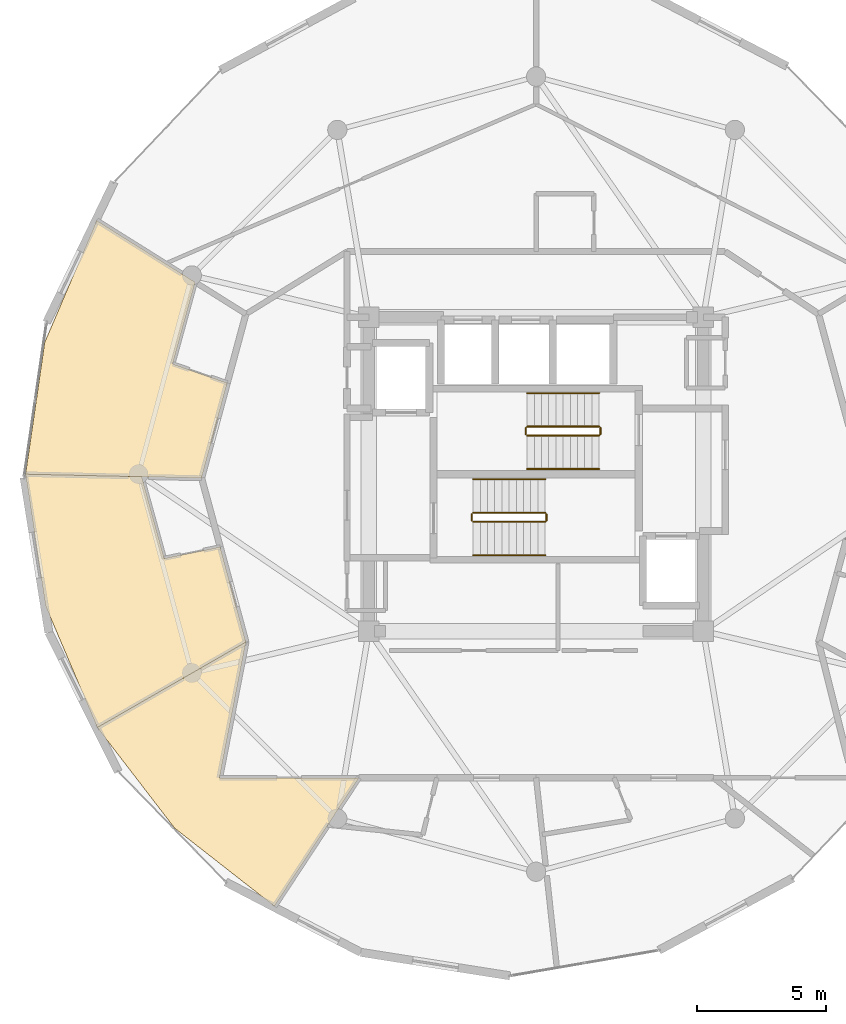
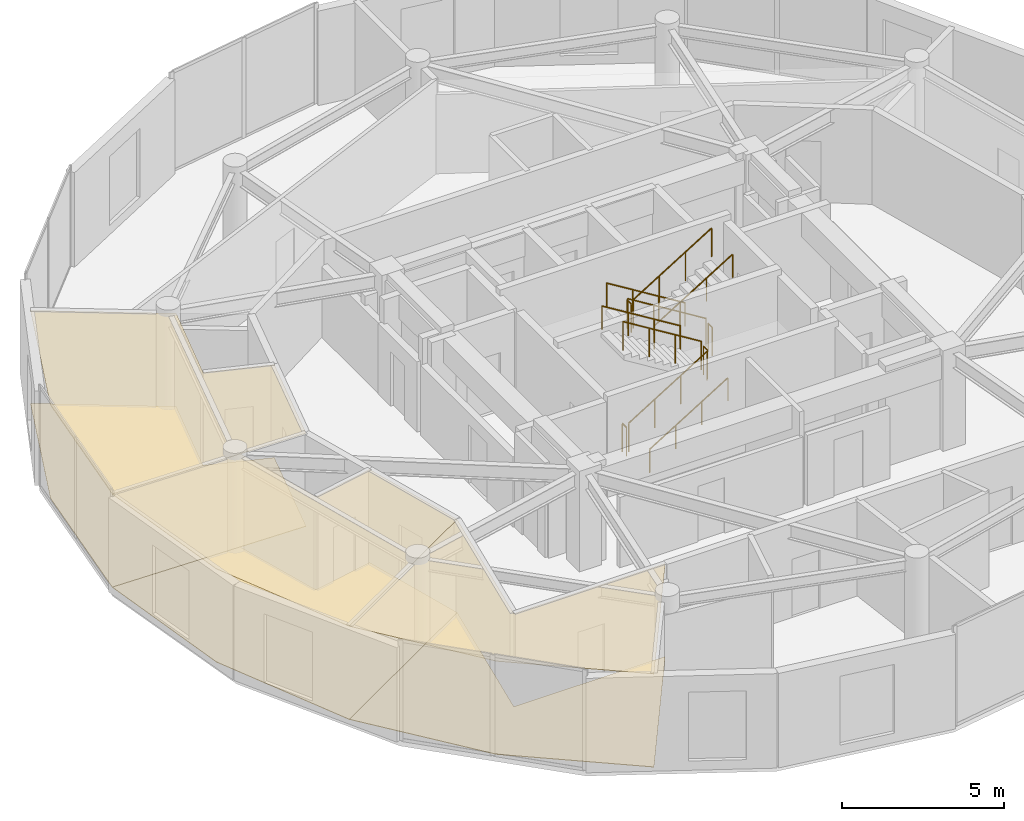
# One storey, part 21 of 22: 12 railings, 6 coverings.
"""IFC4 building model written with IfcOpenShell, lengths in metres."""

from ifc_helpers import new_model, si_unit, direction, frame, origin, origin_2d, place, context, subcontext, project, spatial, polyline, circle, outline, extrude, material, layer, layer_set, type_object, element, save


model = new_model("IFC4")

# Units and contexts
model_context = context("Model", 3, precision=1e-05, world=origin(), true_north=direction((0.0, 1.0)))
body_context = subcontext(model_context, "Body", "Model", "MODEL_VIEW")
ifc_project = project(units=[si_unit("LENGTHUNIT", "METRE"), si_unit("AREAUNIT", "SQUARE_METRE"), si_unit("VOLUMEUNIT", "CUBIC_METRE"), si_unit("PLANEANGLEUNIT", "RADIAN"), si_unit("MASSUNIT", "GRAM", prefix="KILO")], contexts=[model_context])

# Site, building, storey
site_placement = place(None, origin())
site = spatial("IfcSite", under=ifc_project, at=site_placement, CompositionType="ELEMENT")
building_placement = place(site_placement, origin())
building = spatial("IfcBuilding", under=site, at=building_placement, Name="Solvirekh Grand Hotel", CompositionType="ELEMENT")
storey_placement = place(building_placement, frame((0.0, 0.0, 278.199951171875)))
storey = spatial("IfcBuildingStorey", under=building, at=storey_placement, Name="L72", CompositionType="ELEMENT", Elevation=278.199951171875)

# Coverings
ifc_material_1 = material(Name="Acoustic Mineral Ceiling Tile")
ifc_layer_1 = layer(ifc_material_1, 0.02490234375)
ifc_layer_set_1 = layer_set([ifc_layer_1], Name="Acoustic Mineral Ceiling Tile")
covering_type_1 = type_object("IfcCoveringType", Name="Cov_Ceiling_Acoustic", PredefinedType="CEILING", material=ifc_layer_set_1)
covering_1_placement = place(storey_placement, frame((0.0, 0.0, 3.52001953125)))
element("IfcCovering", 1, at=covering_1_placement, inside=storey, type_object=covering_type_1, Name="L72 Deluxe Guestroom 7402 acoustic ceiling", PredefinedType="CEILING", context=body_context, shape_type="SweptSolid", body=[
    extrude(outline(polyline([(-14.12109375, 4.284912109375), (-13.2490234375, 7.4599609375), (-17.074951171875, 9.85791015625), (-19.097900390625, 5.116943359375), (-19.841064453125, 0.0), (-13.0, -0.14990234375), (-12.0009765625, 3.547119140625), (-14.12109375, 4.284912109375)])), origin(), (0.0, 0.0, 1.0), 0.01806640625),
])
covering_2_placement = place(storey_placement, frame((0.0, 0.0, 3.52001953125)))
element("IfcCovering", 2, at=covering_2_placement, inside=storey, type_object=covering_type_1, Name="L72 Deluxe Guestroom 7403 acoustic ceiling", PredefinedType="CEILING", context=body_context, shape_type="SweptSolid", body=[
    extrude(outline(polyline([(-14.450927734375, -3.27197265625), (-15.325927734375, -0.09912109375), (-19.841064453125, 0.0), (-19.06591796875, -5.10888671875), (-17.052978515625, -9.844970703125), (-11.278076171875, -6.52490234375), (-12.277099609375, -2.826904296875), (-14.450927734375, -3.27197265625)])), origin(), (0.0, 0.0, 1.0), 0.01806640625),
])
covering_3_placement = place(storey_placement, frame((0.0, 0.0, 3.52001953125)))
element("IfcCovering", 3, at=covering_3_placement, inside=storey, type_object=covering_type_1, Name="L72 L72 Kremlin View Lounge acoustic ceiling", PredefinedType="CEILING", context=body_context, shape_type="SweptSolid", body=[
    extrude(outline(polyline([(-17.052978515625, -9.844970703125), (-14.048095703125, -13.757080078125), (-10.169921875, -16.7919921875), (-6.887939453125, -11.800048828125), (-12.300048828125, -11.800048828125), (-11.278076171875, -6.52490234375), (-17.052978515625, -9.844970703125)])), origin(), (0.0, 0.0, 1.0), 0.01806640625),
])
ifc_material_2 = material(Name="Porcelain Stoneware Flooring", Category="masonry")
ifc_layer_2 = layer(ifc_material_2, 0.030029296875)
ifc_layer_set_2 = layer_set([ifc_layer_2], Name="Porcelain Stoneware Flooring")
covering_type_2 = type_object("IfcCoveringType", Name="Cov_Floor_Stone", PredefinedType="FLOORING", material=ifc_layer_set_2)
covering_4_placement = place(storey_placement, origin())
element("IfcCovering", 4, at=covering_4_placement, inside=storey, type_object=covering_type_2, Name="L72 Deluxe Guestroom 7402 polished granite flooring", PredefinedType="FLOORING", context=body_context, shape_type="SweptSolid", body=[
    extrude(outline(polyline([(-14.12109375, 4.284912109375), (-13.2490234375, 7.4599609375), (-17.074951171875, 9.85791015625), (-19.097900390625, 5.116943359375), (-19.841064453125, 0.0), (-13.0, -0.14990234375), (-12.0009765625, 3.547119140625), (-14.12109375, 4.284912109375)])), origin(), (0.0, 0.0, 1.0), 0.02001953125),
])
covering_5_placement = place(storey_placement, origin())
element("IfcCovering", 5, at=covering_5_placement, inside=storey, type_object=covering_type_2, Name="L72 Deluxe Guestroom 7403 polished granite flooring", PredefinedType="FLOORING", context=body_context, shape_type="SweptSolid", body=[
    extrude(outline(polyline([(-14.450927734375, -3.27197265625), (-15.325927734375, -0.09912109375), (-19.841064453125, 0.0), (-19.06591796875, -5.10888671875), (-17.052978515625, -9.844970703125), (-11.278076171875, -6.52490234375), (-12.277099609375, -2.826904296875), (-14.450927734375, -3.27197265625)])), origin(), (0.0, 0.0, 1.0), 0.02001953125),
])
covering_6_placement = place(storey_placement, origin())
element("IfcCovering", 6, at=covering_6_placement, inside=storey, type_object=covering_type_2, Name="L72 L72 Kremlin View Lounge polished granite flooring", PredefinedType="FLOORING", context=body_context, shape_type="SweptSolid", body=[
    extrude(outline(polyline([(-17.052978515625, -9.844970703125), (-14.048095703125, -13.757080078125), (-10.169921875, -16.7919921875), (-6.887939453125, -11.800048828125), (-12.300048828125, -11.800048828125), (-11.278076171875, -6.52490234375), (-17.052978515625, -9.844970703125)])), origin(), (0.0, 0.0, 1.0), 0.02001953125),
])

# Railings
ifc_material_3 = material(Name="Steel S355", Category="steel")
railing_type_1 = type_object("IfcRailingType", Name="Guard_Stair_1100", PredefinedType="GUARDRAIL", material=ifc_material_3)
railing_1_placement = place(storey_placement, frame((-2.449951171875, -1.85009765625, 0.1728515625)))
element("IfcRailing", 7, at=railing_1_placement, inside=storey, type_object=railing_type_1, Name="L72 ST-1 stair guard 1", PredefinedType="GUARDRAIL", context=body_context, shape_type="SweptSolid", body=[
    extrude(circle(Radius=0.02392578125, at=origin_2d()), frame((0.0, 0.0, 1.076171875), z_axis=(0.851089632645, 0.0, 0.525020415988), x_axis=(0.0, 1.0, 0.0)), (0.0, 0.0, 1.0), 3.2900390625),
    extrude(circle(Radius=0.02099609375, at=origin_2d()), origin(), (0.0, 0.0, 1.0), 1.052001953125),
    extrude(circle(Radius=0.02099609375, at=origin_2d()), frame((0.933349609375, 0.0, 0.57568359375)), (0.0, 0.0, 1.0), 1.052001953125),
    extrude(circle(Radius=0.02099609375, at=origin_2d()), frame((1.86669921875, 0.0, 1.151611328125)), (0.0, 0.0, 1.0), 1.052001953125),
    extrude(circle(Radius=0.02099609375, at=origin_2d()), frame((2.800048828125, 0.0, 1.727294921875)), (0.0, 0.0, 1.0), 1.052001953125),
])
railing_2_placement = place(storey_placement, frame((0.39990234375, -1.800048828125, 1.900146484375)))
element("IfcRailing", 8, at=railing_2_placement, inside=storey, type_object=railing_type_1, Name="L72 ST-1 stair guard 2", PredefinedType="GUARDRAIL", context=body_context, shape_type="SweptSolid", body=[
    extrude(circle(Radius=0.02392578125, at=origin_2d()), frame((0.0, 0.0, 1.076171875), z_axis=(0.0, 1.0, 0.0), x_axis=(-1.0, 0.0, 0.0)), (0.0, 0.0, 1.0), 0.25),
    extrude(circle(Radius=0.02099609375, at=origin_2d()), origin(), (0.0, 0.0, 1.0), 1.052001953125),
    extrude(circle(Radius=0.02099609375, at=origin_2d()), frame((0.0, 0.25, 0.0)), (0.0, 0.0, 1.0), 1.052001953125),
])
railing_3_placement = place(storey_placement, frame((0.35009765625, -1.5, 2.07275390625)))
element("IfcRailing", 9, at=railing_3_placement, inside=storey, type_object=railing_type_1, Name="L72 ST-1 stair guard 3", PredefinedType="GUARDRAIL", context=body_context, shape_type="SweptSolid", body=[
    extrude(circle(Radius=0.02392578125, at=origin_2d()), frame((0.0, 0.0, 1.076171875), z_axis=(-0.851089632645, 0.0, 0.525020415988), x_axis=(0.0, -1.0, 0.0)), (0.0, 0.0, 1.0), 3.2900390625),
    extrude(circle(Radius=0.02099609375, at=origin_2d()), origin(), (0.0, 0.0, 1.0), 1.052001953125),
    extrude(circle(Radius=0.02099609375, at=origin_2d()), frame((-0.933349609375, 0.0, 0.57568359375)), (0.0, 0.0, 1.0), 1.052001953125),
    extrude(circle(Radius=0.02099609375, at=origin_2d()), frame((-1.86669921875, 0.0, 1.151611328125)), (0.0, 0.0, 1.0), 1.052001953125),
    extrude(circle(Radius=0.02099609375, at=origin_2d()), frame((-2.800048828125, 0.0, 1.727294921875)), (0.0, 0.0, 1.0), 1.052001953125),
])
railing_4_placement = place(storey_placement, frame((-2.5, -1.800048828125, 0.0)))
element("IfcRailing", 10, at=railing_4_placement, inside=storey, type_object=railing_type_1, Name="L72 ST-1 stair guard 4", PredefinedType="GUARDRAIL", context=body_context, shape_type="SweptSolid", body=[
    extrude(circle(Radius=0.02392578125, at=origin_2d()), frame((0.0, 0.0, 1.076171875), z_axis=(0.0, 1.0, 0.0), x_axis=(-1.0, 0.0, 0.0)), (0.0, 0.0, 1.0), 0.25),
    extrude(circle(Radius=0.02099609375, at=origin_2d()), origin(), (0.0, 0.0, 1.0), 1.052001953125),
    extrude(circle(Radius=0.02099609375, at=origin_2d()), frame((0.0, 0.25, 0.0)), (0.0, 0.0, 1.0), 1.052001953125),
])
railing_5_placement = place(storey_placement, frame((2.449951171875, 1.85009765625, 0.1728515625)))
element("IfcRailing", 11, at=railing_5_placement, inside=storey, type_object=railing_type_1, Name="L72 ST-2 stair guard 1", PredefinedType="GUARDRAIL", context=body_context, shape_type="SweptSolid", body=[
    extrude(circle(Radius=0.02392578125, at=origin_2d()), frame((0.0, 0.0, 1.076171875), z_axis=(-0.851089632645, 0.0, 0.525020415988), x_axis=(0.0, -1.0, 0.0)), (0.0, 0.0, 1.0), 3.2900390625),
    extrude(circle(Radius=0.02099609375, at=origin_2d()), origin(), (0.0, 0.0, 1.0), 1.052001953125),
    extrude(circle(Radius=0.02099609375, at=origin_2d()), frame((-0.933349609375, 0.0, 0.57568359375)), (0.0, 0.0, 1.0), 1.052001953125),
    extrude(circle(Radius=0.02099609375, at=origin_2d()), frame((-1.86669921875, 0.0, 1.151611328125)), (0.0, 0.0, 1.0), 1.052001953125),
    extrude(circle(Radius=0.02099609375, at=origin_2d()), frame((-2.800048828125, 0.0, 1.727294921875)), (0.0, 0.0, 1.0), 1.052001953125),
])
railing_6_placement = place(storey_placement, frame((-0.39990234375, 1.800048828125, 1.900146484375)))
element("IfcRailing", 12, at=railing_6_placement, inside=storey, type_object=railing_type_1, Name="L72 ST-2 stair guard 2", PredefinedType="GUARDRAIL", context=body_context, shape_type="SweptSolid", body=[
    extrude(circle(Radius=0.02392578125, at=origin_2d()), frame((0.0, 0.0, 1.076171875), z_axis=(0.0, -1.0, 0.0), x_axis=(1.0, 0.0, 0.0)), (0.0, 0.0, 1.0), 0.25),
    extrude(circle(Radius=0.02099609375, at=origin_2d()), origin(), (0.0, 0.0, 1.0), 1.052001953125),
    extrude(circle(Radius=0.02099609375, at=origin_2d()), frame((0.0, -0.25, 0.0)), (0.0, 0.0, 1.0), 1.052001953125),
])
railing_7_placement = place(storey_placement, frame((-0.35009765625, 1.5, 2.07275390625)))
element("IfcRailing", 13, at=railing_7_placement, inside=storey, type_object=railing_type_1, Name="L72 ST-2 stair guard 3", PredefinedType="GUARDRAIL", context=body_context, shape_type="SweptSolid", body=[
    extrude(circle(Radius=0.02392578125, at=origin_2d()), frame((0.0, 0.0, 1.076171875), z_axis=(0.851089632645, 0.0, 0.525020415988), x_axis=(0.0, 1.0, 0.0)), (0.0, 0.0, 1.0), 3.2900390625),
    extrude(circle(Radius=0.02099609375, at=origin_2d()), origin(), (0.0, 0.0, 1.0), 1.052001953125),
    extrude(circle(Radius=0.02099609375, at=origin_2d()), frame((0.933349609375, 0.0, 0.57568359375)), (0.0, 0.0, 1.0), 1.052001953125),
    extrude(circle(Radius=0.02099609375, at=origin_2d()), frame((1.86669921875, 0.0, 1.151611328125)), (0.0, 0.0, 1.0), 1.052001953125),
    extrude(circle(Radius=0.02099609375, at=origin_2d()), frame((2.800048828125, 0.0, 1.727294921875)), (0.0, 0.0, 1.0), 1.052001953125),
])
railing_8_placement = place(storey_placement, frame((2.5, 1.800048828125, 0.0)))
element("IfcRailing", 14, at=railing_8_placement, inside=storey, type_object=railing_type_1, Name="L72 ST-2 stair guard 4", PredefinedType="GUARDRAIL", context=body_context, shape_type="SweptSolid", body=[
    extrude(circle(Radius=0.02392578125, at=origin_2d()), frame((0.0, 0.0, 1.076171875), z_axis=(0.0, -1.0, 0.0), x_axis=(1.0, 0.0, 0.0)), (0.0, 0.0, 1.0), 0.25),
    extrude(circle(Radius=0.02099609375, at=origin_2d()), origin(), (0.0, 0.0, 1.0), 1.052001953125),
    extrude(circle(Radius=0.02099609375, at=origin_2d()), frame((0.0, -0.25, 0.0)), (0.0, 0.0, 1.0), 1.052001953125),
])
ifc_material_4 = material(Name="Anodized Bronze Aluminium 6063-T6", Category="aluminium")
railing_type_2 = type_object("IfcRailingType", Name="Handrail_Wall_900", PredefinedType="HANDRAIL", material=ifc_material_4)
railing_9_placement = place(storey_placement, frame((-2.449951171875, -3.14990234375, 0.1728515625)))
element("IfcRailing", 15, at=railing_9_placement, inside=storey, type_object=railing_type_2, Name="L72 ST-1 stair handrail 1", PredefinedType="HANDRAIL", context=body_context, shape_type="SweptSolid", body=[
    extrude(circle(Radius=0.02392578125, at=origin_2d()), frame((0.0, 0.0, 0.8759765625), z_axis=(0.851089632645, 0.0, 0.525020415988), x_axis=(0.0, 1.0, 0.0)), (0.0, 0.0, 1.0), 3.2900390625),
    extrude(circle(Radius=0.02099609375, at=origin_2d()), origin(), (0.0, 0.0, 1.0), 0.851806640625),
    extrude(circle(Radius=0.02099609375, at=origin_2d()), frame((0.933349609375, 0.0, 0.57568359375)), (0.0, 0.0, 1.0), 0.851806640625),
    extrude(circle(Radius=0.02099609375, at=origin_2d()), frame((1.86669921875, 0.0, 1.151611328125)), (0.0, 0.0, 1.0), 0.851806640625),
    extrude(circle(Radius=0.02099609375, at=origin_2d()), frame((2.800048828125, 0.0, 1.727294921875)), (0.0, 0.0, 1.0), 0.851806640625),
])
for number, where, name in (
    (16, (0.35009765625, -0.199951171875, 2.07275390625), "L72 ST-1 stair handrail 2"),
    (17, (2.449951171875, 3.14990234375, 0.1728515625), "L72 ST-2 stair handrail 1"),
):
    element("IfcRailing", number, at=place(storey_placement, frame(where)), inside=storey, type_object=railing_type_2, Name=name, PredefinedType="HANDRAIL", context=body_context, shape_type="SweptSolid", body=[
        extrude(circle(Radius=0.02392578125, at=origin_2d()), frame((0.0, 0.0, 0.8759765625), z_axis=(-0.851089632645, 0.0, 0.525020415988), x_axis=(0.0, -1.0, 0.0)), (0.0, 0.0, 1.0), 3.2900390625),
        extrude(circle(Radius=0.02099609375, at=origin_2d()), origin(), (0.0, 0.0, 1.0), 0.851806640625),
        extrude(circle(Radius=0.02099609375, at=origin_2d()), frame((-0.933349609375, 0.0, 0.57568359375)), (0.0, 0.0, 1.0), 0.851806640625),
        extrude(circle(Radius=0.02099609375, at=origin_2d()), frame((-1.86669921875, 0.0, 1.151611328125)), (0.0, 0.0, 1.0), 0.851806640625),
        extrude(circle(Radius=0.02099609375, at=origin_2d()), frame((-2.800048828125, 0.0, 1.727294921875)), (0.0, 0.0, 1.0), 0.851806640625),
    ])
railing_10_placement = place(storey_placement, frame((-0.35009765625, 0.199951171875, 2.07275390625)))
element("IfcRailing", 18, at=railing_10_placement, inside=storey, type_object=railing_type_2, Name="L72 ST-2 stair handrail 2", PredefinedType="HANDRAIL", context=body_context, shape_type="SweptSolid", body=[
    extrude(circle(Radius=0.02392578125, at=origin_2d()), frame((0.0, 0.0, 0.8759765625), z_axis=(0.851089632645, 0.0, 0.525020415988), x_axis=(0.0, 1.0, 0.0)), (0.0, 0.0, 1.0), 3.2900390625),
    extrude(circle(Radius=0.02099609375, at=origin_2d()), origin(), (0.0, 0.0, 1.0), 0.851806640625),
    extrude(circle(Radius=0.02099609375, at=origin_2d()), frame((0.933349609375, 0.0, 0.57568359375)), (0.0, 0.0, 1.0), 0.851806640625),
    extrude(circle(Radius=0.02099609375, at=origin_2d()), frame((1.86669921875, 0.0, 1.151611328125)), (0.0, 0.0, 1.0), 0.851806640625),
    extrude(circle(Radius=0.02099609375, at=origin_2d()), frame((2.800048828125, 0.0, 1.727294921875)), (0.0, 0.0, 1.0), 0.851806640625),
])

save(model, "model.ifc")
